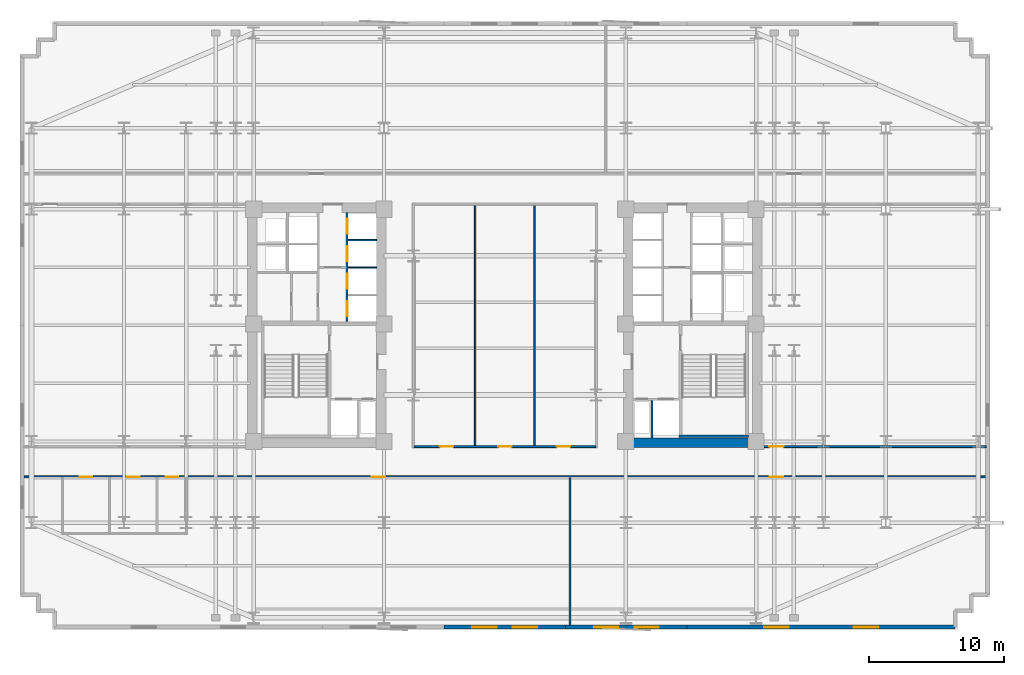
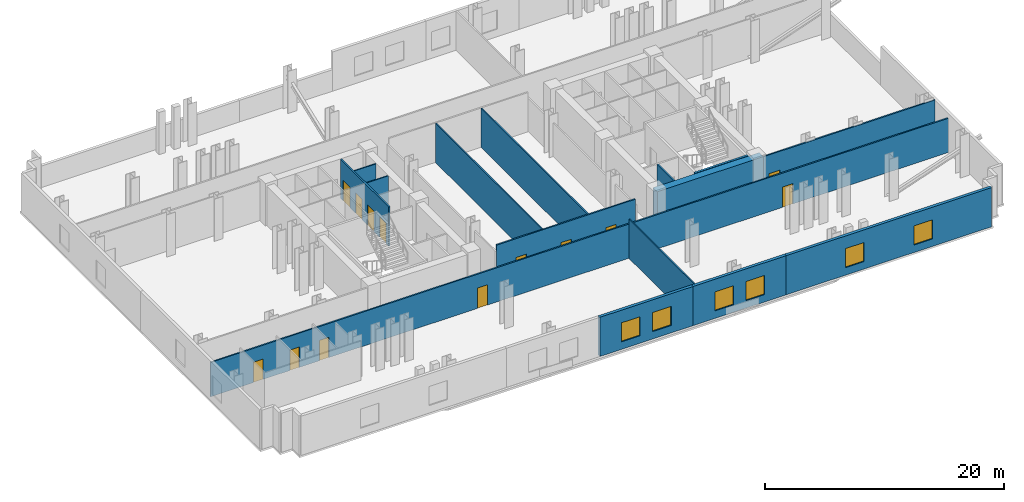
# One storey, part 5 of 9: 15 walls, 13 doors, 6 windows, 19 openings.
"""IFC4 building model written with IfcOpenShell, lengths in metres."""

from ifc_helpers import new_model, si_unit, direction, frame, frame_2d, origin, place, context, subcontext, project, spatial, rectangle, extrude, material, layer, layer_set, type_object, element, fill, save


model = new_model("IFC4")

# Units and contexts
model_context = context("Model", 3, precision=1e-05, world=origin(), true_north=direction((0.0, 1.0)))
body_context = subcontext(model_context, "Body", "Model", "MODEL_VIEW")
ifc_project = project(units=[si_unit("LENGTHUNIT", "METRE"), si_unit("AREAUNIT", "SQUARE_METRE"), si_unit("VOLUMEUNIT", "CUBIC_METRE"), si_unit("PLANEANGLEUNIT", "RADIAN"), si_unit("MASSUNIT", "GRAM", prefix="KILO")], contexts=[model_context])

# Site, building, storey
site_placement = place(None, origin())
site = spatial("IfcSite", under=ifc_project, at=site_placement, CompositionType="ELEMENT")
building_placement = place(site_placement, origin())
building = spatial("IfcBuilding", under=site, at=building_placement, Name="Velakula Bourse", CompositionType="ELEMENT")
storey_placement = place(building_placement, frame((0.0, 0.0, 65.699951171875)))
storey = spatial("IfcBuildingStorey", under=building, at=storey_placement, Name="L17", CompositionType="ELEMENT", Elevation=65.699951171875)

# Walls
ifc_material_1 = material(Name="Concrete M50 (fck 50 MPa)", Category="concrete")
ifc_layer_1 = layer(ifc_material_1, 0.2099609375, Name="Concrete M50 (fck 50 MPa)", Category="concrete")
ifc_layer_set_1 = layer_set([ifc_layer_1], Name="Concrete M50 (fck 50 MPa)")
wall_type_1 = type_object("IfcWallType", Name="WL-CORE-210", PredefinedType="SHEAR", material=ifc_layer_set_1)
wall_1_placement = place(storey_placement, frame((12.889892578125, -8.205078125, 0.0), z_axis=(0.0, 0.0, 1.0), x_axis=(1.0, 0.0, 0.0)))
element("IfcWall", 1, at=wall_1_placement, inside=storey, type_object=wall_type_1, Name="L17 Core E Stairwell Shear Wall S", PredefinedType="SHEAR", context=body_context, shape_type="SweptSolid", body=[
    extrude(rectangle(XDim=5.14013671875, YDim=0.2099609375, at=frame_2d((2.570068359375, 0.0))), origin(), (0.0, 0.0, 1.0), 4.02001953125),
])
ifc_material_2 = material(Name="Concrete M70 (fck 70 MPa)", Category="concrete")
ifc_layer_2 = layer(ifc_material_2, 0.699951171875, Name="Concrete M70 (fck 70 MPa)", Category="concrete")
ifc_layer_set_2 = layer_set([ifc_layer_2], Name="Concrete M70 (fck 70 MPa)")
wall_type_2 = type_object("IfcWallType", Name="WL-CORE-700", PredefinedType="SHEAR", material=ifc_layer_set_2)
wall_2_placement = place(storey_placement, frame((8.800048828125, -8.699951171875, 0.0), z_axis=(0.0, 0.0, 1.0), x_axis=(1.0, 0.0, 0.0)))
element("IfcWall", 2, at=wall_2_placement, inside=storey, type_object=wall_type_2, Name="L17 Core E Shear Wall S", PredefinedType="SHEAR", context=body_context, shape_type="SweptSolid", body=[
    extrude(rectangle(XDim=10.25, YDim=0.699951171875, at=frame_2d((5.125, 0.0))), origin(), (0.0, 0.0, 1.0), 4.02001953125),
])

# Wall, openings, windows
ifc_material_3 = material(Name="Red kilned clay facing brick masonry", Category="masonry")
ifc_layer_3 = layer(ifc_material_3, 0.280029296875, Name="Red kilned clay facing brick masonry", Category="masonry")
ifc_layer_set_3 = layer_set([ifc_layer_3], Name="Red kilned clay facing brick masonry")
wall_type_3 = type_object("IfcWallType", Name="WL-EXT-BRK-280", PredefinedType="STANDARD", material=ifc_layer_set_3)
wall_3_placement = place(storey_placement, frame((4.5, -22.340087890625, 0.0), z_axis=(0.0, 0.0, 1.0), x_axis=(-1.0, 0.0, 0.0)))
wall_3 = element("IfcWall", 3, at=wall_3_placement, inside=storey, type_object=wall_type_3, Name="L17 S Brick Spandrel Wall B3", PredefinedType="STANDARD", context=body_context, shape_type="SweptSolid", body=[
    extrude(rectangle(XDim=9.0, YDim=0.280029296875, at=frame_2d((4.5, 0.0))), origin(), (0.0, 0.0, 1.0), 4.0),
])
opening_1_placement = place(wall_3_placement, frame((2.10009765625, 0.0, 0.760009765625)))
opening_1 = element("IfcOpeningElement", 4, at=opening_1_placement, cuts=wall_3, Name="Opening W-01", PredefinedType="OPENING", context=body_context, shape_type="SweptSolid", body=[
    extrude(rectangle(XDim=1.800048828125, YDim=1.949951171875, at=frame_2d((0.89990234375, 0.97509765625))), frame((0.0, 0.14990234375, 0.0), z_axis=(0.0, -1.0, 0.0), x_axis=(1.0, 0.0, 0.0)), (0.0, 0.0, 1.0), 0.300048828125),
])
opening_2_placement = place(wall_3_placement, frame((5.10009765625, 0.0, 0.760009765625)))
opening_2 = element("IfcOpeningElement", 5, at=opening_2_placement, cuts=wall_3, Name="Opening W-01", PredefinedType="OPENING", context=body_context, shape_type="SweptSolid", body=[
    extrude(rectangle(XDim=1.800048828125, YDim=1.949951171875, at=frame_2d((0.89990234375, 0.97509765625))), frame((0.0, 0.14990234375, 0.0), z_axis=(0.0, -1.0, 0.0), x_axis=(1.0, 0.0, 0.0)), (0.0, 0.0, 1.0), 0.300048828125),
])
ifc_material_4 = material(Name="Double-glazed solar-control Low-E glass", Category="glass")
window_type = type_object("IfcWindowType", Name="WIN-TWR-1800x2100", PartitioningType="SINGLE_PANEL", PredefinedType="WINDOW", material=ifc_material_4)
window_1_placement = place(opening_1_placement, origin())
window_1 = element("IfcWindow", 6, at=window_1_placement, inside=storey, type_object=window_type, Name="L17 Deep-Set Recessed Window 1", OverallHeight=1.949951171875, OverallWidth=1.800048828125, PartitioningType="SINGLE_PANEL", PredefinedType="WINDOW", context=body_context, shape_type="SweptSolid", body=[
    extrude(rectangle(XDim=1.800048828125, YDim=1.949951171875, at=frame_2d((0.89990234375, 0.97509765625))), frame((0.0, 0.030029296875, 0.0), z_axis=(0.0, -1.0, 0.0), x_axis=(1.0, 0.0, 0.0)), (0.0, 0.0, 1.0), 0.06005859375),
])
fill(opening_1, window_1)
window_2_placement = place(opening_2_placement, origin())
window_2 = element("IfcWindow", 7, at=window_2_placement, inside=storey, type_object=window_type, Name="L17 Deep-Set Recessed Window 2", OverallHeight=1.949951171875, OverallWidth=1.800048828125, PartitioningType="SINGLE_PANEL", PredefinedType="WINDOW", context=body_context, shape_type="SweptSolid", body=[
    extrude(rectangle(XDim=1.800048828125, YDim=1.949951171875, at=frame_2d((0.89990234375, 0.97509765625))), frame((0.0, 0.030029296875, 0.0), z_axis=(0.0, -1.0, 0.0), x_axis=(1.0, 0.0, 0.0)), (0.0, 0.0, 1.0), 0.06005859375),
])
fill(opening_2, window_2)

wall_4_placement = place(storey_placement, frame((13.5, -22.340087890625, 0.0), z_axis=(0.0, 0.0, 1.0), x_axis=(-1.0, 0.0, 0.0)))
wall_4 = element("IfcWall", 8, at=wall_4_placement, inside=storey, type_object=wall_type_3, Name="L17 S Brick Spandrel Wall B4", PredefinedType="STANDARD", context=body_context, shape_type="SweptSolid", body=[
    extrude(rectangle(XDim=9.0, YDim=0.280029296875, at=frame_2d((4.5, 0.0))), origin(), (0.0, 0.0, 1.0), 4.0),
])
opening_3_placement = place(wall_4_placement, frame((2.10009765625, 0.0, 0.760009765625)))
opening_3 = element("IfcOpeningElement", 9, at=opening_3_placement, cuts=wall_4, Name="Opening W-01", PredefinedType="OPENING", context=body_context, shape_type="SweptSolid", body=[
    extrude(rectangle(XDim=1.800048828125, YDim=1.949951171875, at=frame_2d((0.89990234375, 0.97509765625))), frame((0.0, 0.14990234375, 0.0), z_axis=(0.0, -1.0, 0.0), x_axis=(1.0, 0.0, 0.0)), (0.0, 0.0, 1.0), 0.300048828125),
])
opening_4_placement = place(wall_4_placement, frame((5.10009765625, 0.0, 0.760009765625)))
opening_4 = element("IfcOpeningElement", 10, at=opening_4_placement, cuts=wall_4, Name="Opening W-01", PredefinedType="OPENING", context=body_context, shape_type="SweptSolid", body=[
    extrude(rectangle(XDim=1.800048828125, YDim=1.949951171875, at=frame_2d((0.89990234375, 0.97509765625))), frame((0.0, 0.14990234375, 0.0), z_axis=(0.0, -1.0, 0.0), x_axis=(1.0, 0.0, 0.0)), (0.0, 0.0, 1.0), 0.300048828125),
])
window_3_placement = place(opening_3_placement, origin())
window_3 = element("IfcWindow", 11, at=window_3_placement, inside=storey, type_object=window_type, Name="L17 Deep-Set Recessed Window 1", OverallHeight=1.949951171875, OverallWidth=1.800048828125, PartitioningType="SINGLE_PANEL", PredefinedType="WINDOW", context=body_context, shape_type="SweptSolid", body=[
    extrude(rectangle(XDim=1.800048828125, YDim=1.949951171875, at=frame_2d((0.89990234375, 0.97509765625))), frame((0.0, 0.030029296875, 0.0), z_axis=(0.0, -1.0, 0.0), x_axis=(1.0, 0.0, 0.0)), (0.0, 0.0, 1.0), 0.06005859375),
])
fill(opening_3, window_3)
window_4_placement = place(opening_4_placement, origin())
window_4 = element("IfcWindow", 12, at=window_4_placement, inside=storey, type_object=window_type, Name="L17 Deep-Set Recessed Window 2", OverallHeight=1.949951171875, OverallWidth=1.800048828125, PartitioningType="SINGLE_PANEL", PredefinedType="WINDOW", context=body_context, shape_type="SweptSolid", body=[
    extrude(rectangle(XDim=1.800048828125, YDim=1.949951171875, at=frame_2d((0.89990234375, 0.97509765625))), frame((0.0, 0.030029296875, 0.0), z_axis=(0.0, -1.0, 0.0), x_axis=(1.0, 0.0, 0.0)), (0.0, 0.0, 1.0), 0.06005859375),
])
fill(opening_4, window_4)

wall_5_placement = place(storey_placement, frame((33.340087890625, -22.340087890625, 0.0), z_axis=(0.0, 0.0, 1.0), x_axis=(-1.0, 0.0, 0.0)))
wall_5 = element("IfcWall", 13, at=wall_5_placement, inside=storey, type_object=wall_type_3, Name="L17 S Brick Spandrel Wall B5", PredefinedType="STANDARD", context=body_context, shape_type="SweptSolid", body=[
    extrude(rectangle(XDim=19.840087890625, YDim=0.280029296875, at=frame_2d((9.919921875, 0.0))), origin(), (0.0, 0.0, 1.0), 4.0),
])
opening_5_placement = place(wall_5_placement, frame((5.71337890625, 0.0, 0.760009765625)))
opening_5 = element("IfcOpeningElement", 14, at=opening_5_placement, cuts=wall_5, Name="Opening W-01", PredefinedType="OPENING", context=body_context, shape_type="SweptSolid", body=[
    extrude(rectangle(XDim=1.800048828125, YDim=1.949951171875, at=frame_2d((0.89990234375, 0.97509765625))), frame((0.0, 0.14990234375, 0.0), z_axis=(0.0, -1.0, 0.0), x_axis=(1.0, 0.0, 0.0)), (0.0, 0.0, 1.0), 0.300048828125),
])
opening_6_placement = place(wall_5_placement, frame((12.32666015625, 0.0, 0.760009765625)))
opening_6 = element("IfcOpeningElement", 15, at=opening_6_placement, cuts=wall_5, Name="Opening W-01", PredefinedType="OPENING", context=body_context, shape_type="SweptSolid", body=[
    extrude(rectangle(XDim=1.800048828125, YDim=1.949951171875, at=frame_2d((0.89990234375, 0.97509765625))), frame((0.0, 0.14990234375, 0.0), z_axis=(0.0, -1.0, 0.0), x_axis=(1.0, 0.0, 0.0)), (0.0, 0.0, 1.0), 0.300048828125),
])
window_5_placement = place(opening_5_placement, origin())
window_5 = element("IfcWindow", 16, at=window_5_placement, inside=storey, type_object=window_type, Name="L17 Deep-Set Recessed Window 1", OverallHeight=1.949951171875, OverallWidth=1.800048828125, PartitioningType="SINGLE_PANEL", PredefinedType="WINDOW", context=body_context, shape_type="SweptSolid", body=[
    extrude(rectangle(XDim=1.800048828125, YDim=1.949951171875, at=frame_2d((0.89990234375, 0.97509765625))), frame((0.0, 0.030029296875, 0.0), z_axis=(0.0, -1.0, 0.0), x_axis=(1.0, 0.0, 0.0)), (0.0, 0.0, 1.0), 0.06005859375),
])
fill(opening_5, window_5)
window_6_placement = place(opening_6_placement, origin())
window_6 = element("IfcWindow", 17, at=window_6_placement, inside=storey, type_object=window_type, Name="L17 Deep-Set Recessed Window 2", OverallHeight=1.949951171875, OverallWidth=1.800048828125, PartitioningType="SINGLE_PANEL", PredefinedType="WINDOW", context=body_context, shape_type="SweptSolid", body=[
    extrude(rectangle(XDim=1.800048828125, YDim=1.949951171875, at=frame_2d((0.89990234375, 0.97509765625))), frame((0.0, 0.030029296875, 0.0), z_axis=(0.0, -1.0, 0.0), x_axis=(1.0, 0.0, 0.0)), (0.0, 0.0, 1.0), 0.06005859375),
])
fill(opening_6, window_6)

# Walls
ifc_material_5 = material(Name="Fire-rated double-layer gypsum drywall partition", Category="gypsum")
ifc_layer_4 = layer(ifc_material_5, 0.1201171875, Name="Fire-rated double-layer gypsum drywall partition", Category="gypsum")
ifc_layer_set_4 = layer_set([ifc_layer_4], Name="Fire-rated double-layer gypsum drywall partition")
wall_type_4 = type_object("IfcWallType", Name="WL-PART-120", PredefinedType="STANDARD", material=ifc_layer_set_4)
for number, where, z_axis, x_axis, name in (
    (18, (-11.60009765625, 4.284912109375, 0.0), (0.0, 0.0, 1.0), (1.0, 0.0, 0.0), "L17 Interior Partition WL-CRW-L17-BDIV-1"),
    (19, (-11.60009765625, 6.31494140625, 0.0), (0.0, 0.0, 1.0), (1.0, 0.0, 0.0), "L17 Interior Partition WL-CRW-L17-BDIV-2"),
):
    element("IfcWall", number, at=place(storey_placement, frame(where, z_axis=z_axis, x_axis=x_axis)), inside=storey, type_object=wall_type_4, Name=name, PredefinedType="STANDARD", context=body_context, shape_type="SweptSolid", body=[
        extrude(rectangle(XDim=2.10009765625, YDim=0.110107421875, at=frame_2d((1.050048828125, 0.0))), origin(), (0.0, 0.0, 1.0), 4.0),
    ])
wall_6_placement = place(storey_placement, frame((4.818115234375, -22.219970703125, 0.0), z_axis=(0.0, 0.0, 1.0), x_axis=(0.0, 1.0, 0.0)))
element("IfcWall", 20, at=wall_6_placement, inside=storey, type_object=wall_type_4, Name="L17 Interior Partition WL-INT-L17-SR-D5", PredefinedType="STANDARD", context=body_context, shape_type="SweptSolid", body=[
    extrude(rectangle(XDim=10.929931640625, YDim=0.1201171875, at=frame_2d((5.46484375, 0.0))), origin(), (0.0, 0.0, 1.0), 4.0),
])

# Wall, openings, doors
ifc_layer_5 = layer(ifc_material_5, 0.139892578125, Name="Fire-rated double-layer gypsum drywall partition", Category="gypsum")
ifc_layer_set_5 = layer_set([ifc_layer_5], Name="Fire-rated double-layer gypsum drywall partition")
wall_type_5 = type_object("IfcWallType", Name="WL-PART-140", PredefinedType="STANDARD", material=ifc_layer_set_5)
wall_7_placement = place(storey_placement, frame((-35.6201171875, -11.219970703125, 0.0), z_axis=(0.0, 0.0, 1.0), x_axis=(1.0, 0.0, 0.0)))
wall_7 = element("IfcWall", 21, at=wall_7_placement, inside=storey, type_object=wall_type_5, Name="L17 Interior Partition WL-INT-L17-S-CORR", PredefinedType="STANDARD", context=body_context, shape_type="SweptSolid", body=[
    extrude(rectangle(XDim=71.240234375, YDim=0.139892578125, at=frame_2d((35.6201171875, 0.0))), origin(), (0.0, 0.0, 1.0), 3.4951171875),
])
opening_7_placement = place(wall_7_placement, frame((4.14990234375, 0.0, 0.0)))
opening_7 = element("IfcOpeningElement", 22, at=opening_7_placement, cuts=wall_7, Name="Opening D-WT1", PredefinedType="OPENING", context=body_context, shape_type="SweptSolid", body=[
    extrude(rectangle(XDim=0.919921875, YDim=2.080078125, at=frame_2d((0.4599609375, 1.0400390625))), frame((0.0, 0.079833984375, 0.0), z_axis=(0.0, -1.0, 0.0), x_axis=(1.0, 0.0, 0.0)), (0.0, 0.0, 1.0), 0.159912109375),
])
opening_8_placement = place(wall_7_placement, frame((7.64990234375, 0.0, 0.0)))
opening_8 = element("IfcOpeningElement", 23, at=opening_8_placement, cuts=wall_7, Name="Opening D-WT1", PredefinedType="OPENING", context=body_context, shape_type="SweptSolid", body=[
    extrude(rectangle(XDim=0.919921875, YDim=2.080078125, at=frame_2d((0.4599609375, 1.0400390625))), frame((0.0, 0.079833984375, 0.0), z_axis=(0.0, -1.0, 0.0), x_axis=(1.0, 0.0, 0.0)), (0.0, 0.0, 1.0), 0.159912109375),
])
opening_9_placement = place(wall_7_placement, frame((10.5, 0.0, 0.0)))
opening_9 = element("IfcOpeningElement", 24, at=opening_9_placement, cuts=wall_7, Name="Opening D-WC1", PredefinedType="OPENING", context=body_context, shape_type="SweptSolid", body=[
    extrude(rectangle(XDim=0.919921875, YDim=2.080078125, at=frame_2d((0.4599609375, 1.0400390625))), frame((0.0, 0.079833984375, 0.0), z_axis=(0.0, -1.0, 0.0), x_axis=(1.0, 0.0, 0.0)), (0.0, 0.0, 1.0), 0.159912109375),
])
opening_10_placement = place(wall_7_placement, frame((25.7490234375, 0.0, 0.0)))
opening_10 = element("IfcOpeningElement", 25, at=opening_10_placement, cuts=wall_7, Name="Opening D-OF1", PredefinedType="OPENING", context=body_context, shape_type="SweptSolid", body=[
    extrude(rectangle(XDim=1.0, YDim=2.080078125, at=frame_2d((0.5, 1.0400390625))), frame((0.0, 0.079833984375, 0.0), z_axis=(0.0, -1.0, 0.0), x_axis=(1.0, 0.0, 0.0)), (0.0, 0.0, 1.0), 0.159912109375),
])
opening_11_placement = place(wall_7_placement, frame((55.212890625, 0.0, 0.0)))
opening_11 = element("IfcOpeningElement", 26, at=opening_11_placement, cuts=wall_7, Name="Opening D-OF1", PredefinedType="OPENING", context=body_context, shape_type="SweptSolid", body=[
    extrude(rectangle(XDim=1.0, YDim=2.080078125, at=frame_2d((0.5, 1.0400390625))), frame((0.0, 0.079833984375, 0.0), z_axis=(0.0, -1.0, 0.0), x_axis=(1.0, 0.0, 0.0)), (0.0, 0.0, 1.0), 0.159912109375),
])
ifc_material_6 = material(Name="Fire-rated hardwood flush architectural door", Category="wood")
door_type_1 = type_object("IfcDoorType", Name="DR-OFF-1000", OperationType="NOTDEFINED", PredefinedType="DOOR", material=ifc_material_6)
door_1_placement = place(opening_10_placement, origin())
door_1 = element("IfcDoor", 27, at=door_1_placement, inside=storey, type_object=door_type_1, Name="L17 Members Dining Lounge Door", OperationType="SINGLE_SWING_RIGHT", OverallHeight=2.080078125, OverallWidth=1.0, PredefinedType="DOOR", context=body_context, shape_type="SweptSolid", body=[
    extrude(rectangle(XDim=1.0, YDim=2.080078125, at=frame_2d((0.5, 1.0400390625))), frame((0.0, 0.02490234375, 0.0), z_axis=(0.0, -1.0, 0.0), x_axis=(1.0, 0.0, 0.0)), (0.0, 0.0, 1.0), 0.050048828125),
])
fill(opening_10, door_1)
door_2_placement = place(opening_11_placement, origin())
door_2 = element("IfcDoor", 28, at=door_2_placement, inside=storey, type_object=door_type_1, Name="L17 General Counsel Office Door", OperationType="SINGLE_SWING_LEFT", OverallHeight=2.080078125, OverallWidth=1.0, PredefinedType="DOOR", context=body_context, shape_type="SweptSolid", body=[
    extrude(rectangle(XDim=1.0, YDim=2.080078125, at=frame_2d((0.5, 1.0400390625))), frame((0.0, 0.02490234375, 0.0), z_axis=(0.0, -1.0, 0.0), x_axis=(1.0, 0.0, 0.0)), (0.0, 0.0, 1.0), 0.050048828125),
])
fill(opening_11, door_2)
door_type_2 = type_object("IfcDoorType", Name="DR-WC-950", OperationType="NOTDEFINED", PredefinedType="DOOR", material=ifc_material_6)
door_3_placement = place(opening_7_placement, origin())
door_3 = element("IfcDoor", 29, at=door_3_placement, inside=storey, type_object=door_type_2, Name="L17 Male Staff Toilet Door", OperationType="SINGLE_SWING_LEFT", OverallHeight=2.080078125, OverallWidth=0.919921875, PredefinedType="DOOR", context=body_context, shape_type="SweptSolid", body=[
    extrude(rectangle(XDim=0.919921875, YDim=2.080078125, at=frame_2d((0.4599609375, 1.0400390625))), frame((0.0, 0.02490234375, 0.0), z_axis=(0.0, -1.0, 0.0), x_axis=(1.0, 0.0, 0.0)), (0.0, 0.0, 1.0), 0.050048828125),
])
fill(opening_7, door_3)
door_4_placement = place(opening_8_placement, origin())
door_4 = element("IfcDoor", 30, at=door_4_placement, inside=storey, type_object=door_type_2, Name="L17 Female Staff Toilet Door", OperationType="SINGLE_SWING_RIGHT", OverallHeight=2.080078125, OverallWidth=0.919921875, PredefinedType="DOOR", context=body_context, shape_type="SweptSolid", body=[
    extrude(rectangle(XDim=0.919921875, YDim=2.080078125, at=frame_2d((0.4599609375, 1.0400390625))), frame((0.0, 0.02490234375, 0.0), z_axis=(0.0, -1.0, 0.0), x_axis=(1.0, 0.0, 0.0)), (0.0, 0.0, 1.0), 0.050048828125),
])
fill(opening_8, door_4)
door_5_placement = place(opening_9_placement, origin())
door_5 = element("IfcDoor", 31, at=door_5_placement, inside=storey, type_object=door_type_2, Name="L17 Accessible WC Door", OperationType="SINGLE_SWING_LEFT", OverallHeight=2.080078125, OverallWidth=0.919921875, PredefinedType="DOOR", context=body_context, shape_type="SweptSolid", body=[
    extrude(rectangle(XDim=0.919921875, YDim=2.080078125, at=frame_2d((0.4599609375, 1.0400390625))), frame((0.0, 0.02490234375, 0.0), z_axis=(0.0, -1.0, 0.0), x_axis=(1.0, 0.0, 0.0)), (0.0, 0.0, 1.0), 0.050048828125),
])
fill(opening_9, door_5)

# Wall, opening, door
wall_8_placement = place(storey_placement, frame((19.050048828125, -8.97998046875, 0.0), z_axis=(0.0, 0.0, 1.0), x_axis=(1.0, 0.0, 0.0)))
wall_8 = element("IfcWall", 32, at=wall_8_placement, inside=storey, type_object=wall_type_5, Name="L17 Interior Partition WL-INT-L17-E-SC", PredefinedType="STANDARD", context=body_context, shape_type="SweptSolid", body=[
    extrude(rectangle(XDim=16.570068359375, YDim=0.139892578125, at=frame_2d((8.28515625, 0.0))), origin(), (0.0, 0.0, 1.0), 4.0),
])
opening_12_placement = place(wall_8_placement, frame((0.538818359375, 0.0, 0.0)))
opening_12 = element("IfcOpeningElement", 33, at=opening_12_placement, cuts=wall_8, Name="Opening D-OF2", PredefinedType="OPENING", context=body_context, shape_type="SweptSolid", body=[
    extrude(rectangle(XDim=1.050048828125, YDim=2.080078125, at=frame_2d((0.52490234375, 1.0400390625))), frame((0.0, 0.079833984375, 0.0), z_axis=(0.0, -1.0, 0.0), x_axis=(1.0, 0.0, 0.0)), (0.0, 0.0, 1.0), 0.159912109375),
])
door_type_3 = type_object("IfcDoorType", Name="DR-OFF-1050", OperationType="NOTDEFINED", PredefinedType="DOOR", material=ifc_material_6)
door_6_placement = place(opening_12_placement, origin())
door_6 = element("IfcDoor", 34, at=door_6_placement, inside=storey, type_object=door_type_3, Name="L17 Traders Bistro Restaurant Door", OperationType="SINGLE_SWING_LEFT", OverallHeight=2.080078125, OverallWidth=1.050048828125, PredefinedType="DOOR", context=body_context, shape_type="SweptSolid", body=[
    extrude(rectangle(XDim=1.050048828125, YDim=2.080078125, at=frame_2d((0.52490234375, 1.0400390625))), frame((0.0, 0.02490234375, 0.0), z_axis=(0.0, -1.0, 0.0), x_axis=(1.0, 0.0, 0.0)), (0.0, 0.0, 1.0), 0.050048828125),
])
fill(opening_12, door_6)

# Wall, openings, doors
wall_9_placement = place(storey_placement, frame((-6.7099609375, -8.97998046875, 0.0), z_axis=(0.0, 0.0, 1.0), x_axis=(1.0, 0.0, 0.0)))
wall_9 = element("IfcWall", 35, at=wall_9_placement, inside=storey, type_object=wall_type_5, Name="L17 Interior Partition WL-INT-L17-MID-S", PredefinedType="STANDARD", context=body_context, shape_type="SweptSolid", body=[
    extrude(rectangle(XDim=13.419921875, YDim=0.139892578125, at=frame_2d((6.7099609375, 0.0))), origin(), (0.0, 0.0, 1.0), 4.0),
])
opening_13_placement = place(wall_9_placement, frame((1.881103515625, 0.0, 0.0)))
opening_13 = element("IfcOpeningElement", 36, at=opening_13_placement, cuts=wall_9, Name="Opening D-OF1", PredefinedType="OPENING", context=body_context, shape_type="SweptSolid", body=[
    extrude(rectangle(XDim=1.0, YDim=2.080078125, at=frame_2d((0.5, 1.0400390625))), frame((0.0, 0.079833984375, 0.0), z_axis=(0.0, -1.0, 0.0), x_axis=(1.0, 0.0, 0.0)), (0.0, 0.0, 1.0), 0.159912109375),
])
opening_14_placement = place(wall_9_placement, frame((6.2099609375, 0.0, 0.0)))
opening_14 = element("IfcOpeningElement", 37, at=opening_14_placement, cuts=wall_9, Name="Opening D-OF1", PredefinedType="OPENING", context=body_context, shape_type="SweptSolid", body=[
    extrude(rectangle(XDim=1.0, YDim=2.080078125, at=frame_2d((0.5, 1.0400390625))), frame((0.0, 0.079833984375, 0.0), z_axis=(0.0, -1.0, 0.0), x_axis=(1.0, 0.0, 0.0)), (0.0, 0.0, 1.0), 0.159912109375),
])
opening_15_placement = place(wall_9_placement, frame((10.5390625, 0.0, 0.0)))
opening_15 = element("IfcOpeningElement", 38, at=opening_15_placement, cuts=wall_9, Name="Opening D-OF1", PredefinedType="OPENING", context=body_context, shape_type="SweptSolid", body=[
    extrude(rectangle(XDim=1.0, YDim=2.080078125, at=frame_2d((0.5, 1.0400390625))), frame((0.0, 0.079833984375, 0.0), z_axis=(0.0, -1.0, 0.0), x_axis=(1.0, 0.0, 0.0)), (0.0, 0.0, 1.0), 0.159912109375),
])
door_7_placement = place(opening_13_placement, origin())
door_7 = element("IfcDoor", 39, at=door_7_placement, inside=storey, type_object=door_type_1, Name="L17 Central Listing Chamber West Door", OperationType="SINGLE_SWING_RIGHT", OverallHeight=2.080078125, OverallWidth=1.0, PredefinedType="DOOR", context=body_context, shape_type="SweptSolid", body=[
    extrude(rectangle(XDim=1.0, YDim=2.080078125, at=frame_2d((0.5, 1.0400390625))), frame((0.0, 0.02490234375, 0.0), z_axis=(0.0, -1.0, 0.0), x_axis=(1.0, 0.0, 0.0)), (0.0, 0.0, 1.0), 0.050048828125),
])
fill(opening_13, door_7)
door_8_placement = place(opening_14_placement, origin())
door_8 = element("IfcDoor", 40, at=door_8_placement, inside=storey, type_object=door_type_1, Name="L17 Central Clearing Forum Door", OperationType="SINGLE_SWING_LEFT", OverallHeight=2.080078125, OverallWidth=1.0, PredefinedType="DOOR", context=body_context, shape_type="SweptSolid", body=[
    extrude(rectangle(XDim=1.0, YDim=2.080078125, at=frame_2d((0.5, 1.0400390625))), frame((0.0, 0.02490234375, 0.0), z_axis=(0.0, -1.0, 0.0), x_axis=(1.0, 0.0, 0.0)), (0.0, 0.0, 1.0), 0.050048828125),
])
fill(opening_14, door_8)
door_9_placement = place(opening_15_placement, origin())
door_9 = element("IfcDoor", 41, at=door_9_placement, inside=storey, type_object=door_type_1, Name="L17 Central Custody Office East Door", OperationType="SINGLE_SWING_RIGHT", OverallHeight=2.080078125, OverallWidth=1.0, PredefinedType="DOOR", context=body_context, shape_type="SweptSolid", body=[
    extrude(rectangle(XDim=1.0, YDim=2.080078125, at=frame_2d((0.5, 1.0400390625))), frame((0.0, 0.02490234375, 0.0), z_axis=(0.0, -1.0, 0.0), x_axis=(1.0, 0.0, 0.0)), (0.0, 0.0, 1.0), 0.050048828125),
])
fill(opening_15, door_9)

# Walls
for number, where, z_axis, x_axis, name in (
    (42, (-2.199951171875, -8.909912109375, 0.0), (0.0, 0.0, 1.0), (0.0, 1.0, 0.0), "L17 Interior Partition WL-INT-L17-MD5V1"),
    (43, (2.199951171875, -8.909912109375, 0.0), (0.0, 0.0, 1.0), (0.0, 1.0, 0.0), "L17 Interior Partition WL-INT-L17-MD5V2"),
):
    element("IfcWall", number, at=place(storey_placement, frame(where, z_axis=z_axis, x_axis=x_axis)), inside=storey, type_object=wall_type_5, Name=name, PredefinedType="STANDARD", context=body_context, shape_type="SweptSolid", body=[
        extrude(rectangle(XDim=17.81982421875, YDim=0.1201171875, at=frame_2d((8.909912109375, 0.0))), origin(), (0.0, 0.0, 1.0), 4.0),
    ])

# Wall, openings, doors
ifc_material_7 = material(Name="Autoclaved aerated concrete blockwork masonry", Category="masonry")
ifc_layer_6 = layer(ifc_material_7, 0.14990234375, Name="Autoclaved aerated concrete blockwork masonry", Category="masonry")
ifc_layer_set_6 = layer_set([ifc_layer_6], Name="Autoclaved aerated concrete blockwork masonry")
wall_type_6 = type_object("IfcWallType", Name="WL-SHAFT-150", PredefinedType="STANDARD", material=ifc_layer_set_6)
wall_10_placement = place(storey_placement, frame((-11.675048828125, 0.27001953125, 0.0), z_axis=(0.0, 0.0, 1.0), x_axis=(0.0, 1.0, 0.0)))
wall_10 = element("IfcWall", 44, at=wall_10_placement, inside=storey, type_object=wall_type_6, Name="L17 Interior Partition WL-CRW-L17-BANK-F", PredefinedType="STANDARD", context=body_context, shape_type="SweptSolid", body=[
    extrude(rectangle(XDim=8.080078125, YDim=0.14990234375, at=frame_2d((4.0400390625, 0.0))), origin(), (0.0, 0.0, 1.0), 4.0),
])
opening_16_placement = place(wall_10_placement, frame((0.419921875, 0.0, 0.0)))
opening_16 = element("IfcOpeningElement", 45, at=opening_16_placement, cuts=wall_10, Name="Opening LD-P1", PredefinedType="OPENING", context=body_context, shape_type="SweptSolid", body=[
    extrude(rectangle(XDim=1.10009765625, YDim=2.10009765625, at=frame_2d((0.550048828125, 1.050048828125))), frame((0.0, 0.0849609375, 0.0), z_axis=(0.0, -1.0, 0.0), x_axis=(1.0, 0.0, 0.0)), (0.0, 0.0, 1.0), 0.169921875),
])
opening_17_placement = place(wall_10_placement, frame((2.449951171875, 0.0, 0.0)))
opening_17 = element("IfcOpeningElement", 46, at=opening_17_placement, cuts=wall_10, Name="Opening LD-P2", PredefinedType="OPENING", context=body_context, shape_type="SweptSolid", body=[
    extrude(rectangle(XDim=1.10009765625, YDim=2.10009765625, at=frame_2d((0.550048828125, 1.050048828125))), frame((0.0, 0.0849609375, 0.0), z_axis=(0.0, -1.0, 0.0), x_axis=(1.0, 0.0, 0.0)), (0.0, 0.0, 1.0), 0.169921875),
])
opening_18_placement = place(wall_10_placement, frame((4.47998046875, 0.0, 0.0)))
opening_18 = element("IfcOpeningElement", 47, at=opening_18_placement, cuts=wall_10, Name="Opening LD-P3", PredefinedType="OPENING", context=body_context, shape_type="SweptSolid", body=[
    extrude(rectangle(XDim=1.10009765625, YDim=2.10009765625, at=frame_2d((0.550048828125, 1.050048828125))), frame((0.0, 0.0849609375, 0.0), z_axis=(0.0, -1.0, 0.0), x_axis=(1.0, 0.0, 0.0)), (0.0, 0.0, 1.0), 0.169921875),
])
opening_19_placement = place(wall_10_placement, frame((6.510009765625, 0.0, 0.0)))
opening_19 = element("IfcOpeningElement", 48, at=opening_19_placement, cuts=wall_10, Name="Opening LD-P4", PredefinedType="OPENING", context=body_context, shape_type="SweptSolid", body=[
    extrude(rectangle(XDim=1.10009765625, YDim=2.10009765625, at=frame_2d((0.550048828125, 1.050048828125))), frame((0.0, 0.0849609375, 0.0), z_axis=(0.0, -1.0, 0.0), x_axis=(1.0, 0.0, 0.0)), (0.0, 0.0, 1.0), 0.169921875),
])
ifc_material_8 = material(Name="Brushed grade 316 stainless steel", Category="steel")
door_type_4 = type_object("IfcDoorType", Name="DR-SLIDE-LD-1100", OperationType="DOUBLE_DOOR_SLIDING", PredefinedType="DOOR", material=ifc_material_8)
door_10_placement = place(opening_16_placement, origin())
door_10 = element("IfcDoor", 49, at=door_10_placement, inside=storey, type_object=door_type_4, Name="L17 Passenger Lift P1 Sliding Landing Door", OperationType="DOUBLE_DOOR_SLIDING", OverallHeight=2.10009765625, OverallWidth=1.10009765625, PredefinedType="DOOR", context=body_context, shape_type="SweptSolid", body=[
    extrude(rectangle(XDim=1.10009765625, YDim=2.10009765625, at=frame_2d((0.550048828125, 1.050048828125))), frame((0.0, 0.02490234375, 0.0), z_axis=(0.0, -1.0, 0.0), x_axis=(1.0, 0.0, 0.0)), (0.0, 0.0, 1.0), 0.050048828125),
])
fill(opening_16, door_10)
door_11_placement = place(opening_17_placement, origin())
door_11 = element("IfcDoor", 50, at=door_11_placement, inside=storey, type_object=door_type_4, Name="L17 Passenger Lift P2 Sliding Landing Door", OperationType="DOUBLE_DOOR_SLIDING", OverallHeight=2.10009765625, OverallWidth=1.10009765625, PredefinedType="DOOR", context=body_context, shape_type="SweptSolid", body=[
    extrude(rectangle(XDim=1.10009765625, YDim=2.10009765625, at=frame_2d((0.550048828125, 1.050048828125))), frame((0.0, 0.02490234375, 0.0), z_axis=(0.0, -1.0, 0.0), x_axis=(1.0, 0.0, 0.0)), (0.0, 0.0, 1.0), 0.050048828125),
])
fill(opening_17, door_11)
door_12_placement = place(opening_18_placement, origin())
door_12 = element("IfcDoor", 51, at=door_12_placement, inside=storey, type_object=door_type_4, Name="L17 Passenger Lift P3 Sliding Landing Door", OperationType="DOUBLE_DOOR_SLIDING", OverallHeight=2.10009765625, OverallWidth=1.10009765625, PredefinedType="DOOR", context=body_context, shape_type="SweptSolid", body=[
    extrude(rectangle(XDim=1.10009765625, YDim=2.10009765625, at=frame_2d((0.550048828125, 1.050048828125))), frame((0.0, 0.02490234375, 0.0), z_axis=(0.0, -1.0, 0.0), x_axis=(1.0, 0.0, 0.0)), (0.0, 0.0, 1.0), 0.050048828125),
])
fill(opening_18, door_12)
door_13_placement = place(opening_19_placement, origin())
door_13 = element("IfcDoor", 52, at=door_13_placement, inside=storey, type_object=door_type_4, Name="L17 Passenger Lift P4 Sliding Landing Door", OperationType="DOUBLE_DOOR_SLIDING", OverallHeight=2.10009765625, OverallWidth=1.10009765625, PredefinedType="DOOR", context=body_context, shape_type="SweptSolid", body=[
    extrude(rectangle(XDim=1.10009765625, YDim=2.10009765625, at=frame_2d((0.550048828125, 1.050048828125))), frame((0.0, 0.02490234375, 0.0), z_axis=(0.0, -1.0, 0.0), x_axis=(1.0, 0.0, 0.0)), (0.0, 0.0, 1.0), 0.050048828125),
])
fill(opening_19, door_13)

# Wall
wall_11_placement = place(storey_placement, frame((10.875, -8.35009765625, 0.0), z_axis=(0.0, 0.0, 1.0), x_axis=(0.0, 1.0, 0.0)))
element("IfcWall", 53, at=wall_11_placement, inside=storey, type_object=wall_type_6, Name="L17 Interior Partition WL-CRE-L17-FR-DIV", PredefinedType="STANDARD", context=body_context, shape_type="SweptSolid", body=[
    extrude(rectangle(XDim=2.800048828125, YDim=0.14990234375, at=frame_2d((1.39990234375, 0.0))), origin(), (0.0, 0.0, 1.0), 4.0),
])

save(model, "model.ifc")
